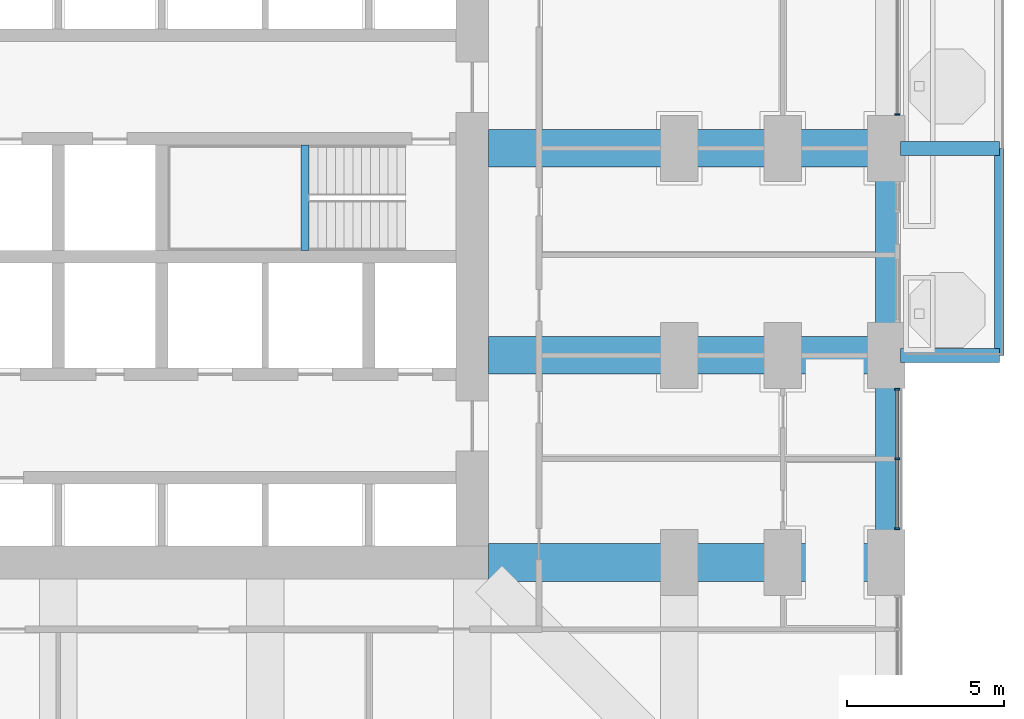
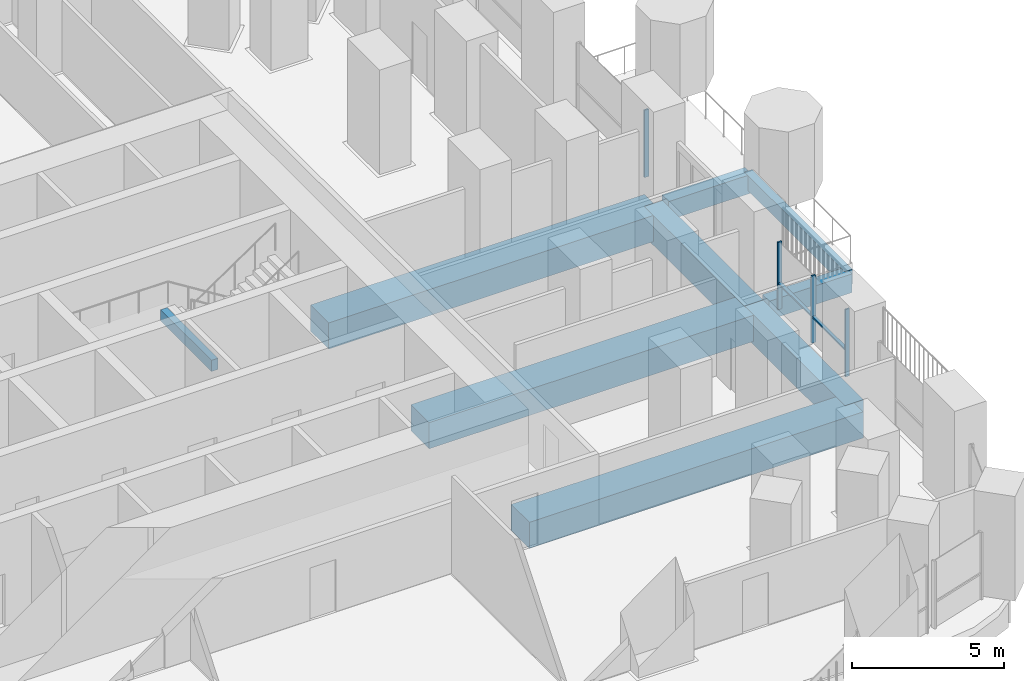
# One storey, part 5 of 26: 9 beams, 6 members, 2 elements without a shape of their own.
"""IFC4 building model written with IfcOpenShell, lengths in metres."""

from ifc_helpers import new_model, si_unit, direction, frame, origin, origin_2d, place, context, subcontext, project, spatial, rectangle, extrude, material, material_profile, profile_set, type_object, element, aggregate, save


model = new_model("IFC4")

# Units and contexts
model_context = context("Model", 3, precision=1e-05, world=origin(), true_north=direction((0.0, 1.0)))
body_context = subcontext(model_context, "Body", "Model", "MODEL_VIEW")
ifc_project = project(units=[si_unit("LENGTHUNIT", "METRE"), si_unit("AREAUNIT", "SQUARE_METRE"), si_unit("VOLUMEUNIT", "CUBIC_METRE"), si_unit("PLANEANGLEUNIT", "RADIAN"), si_unit("MASSUNIT", "GRAM", prefix="KILO")], contexts=[model_context])

# Site, building, storey
site_placement = place(None, origin())
site = spatial("IfcSite", under=ifc_project, at=site_placement, CompositionType="ELEMENT")
building_placement = place(site_placement, origin())
building = spatial("IfcBuilding", under=site, at=building_placement, Name="Cobogo Forest Laboratory Tower", CompositionType="ELEMENT")
storey_placement = place(building_placement, frame((0.0, 0.0, 33.89990234375)))
storey = spatial("IfcBuildingStorey", under=building, at=storey_placement, Name="L07", CompositionType="ELEMENT", Elevation=33.89990234375)

# Beams
ifc_material_1 = material(Name="Concrete HA-40 (C40/50)", Category="concrete")
ifc_material_profile_1 = material_profile(ifc_material_1, rectangle(XDim=0.449951171875, YDim=0.75, at=origin_2d()), Name="RC 450x750")
ifc_profile_set_1 = profile_set([ifc_material_profile_1], Name="Concrete HA-40 (C40/50)")
beam_type_1 = type_object("IfcBeamType", Name="Balcony cantilever beam 450x750", PredefinedType="BEAM", material=ifc_profile_set_1)
for number, where, z_axis, x_axis, name in (
    (1, (53.25, 19.800048828125, -0.625), (1.0, 0.0, 0.0), (0.0, 1.0, 0.0), "CB1 BAL-E1-C1 L07"),
    (2, (53.25, 26.39990234375, -0.625), (1.0, 0.0, 0.0), (0.0, 1.0, 0.0), "CB1 BAL-E1-C2 L07"),
):
    element("IfcBeam", number, at=place(storey_placement, frame(where, z_axis=z_axis, x_axis=x_axis)), inside=storey, type_object=beam_type_1, Name=name, PredefinedType="BEAM", context=body_context, shape_type="SweptSolid", body=[
        extrude(rectangle(XDim=0.449951171875, YDim=0.75, at=origin_2d()), origin(), (0.0, 0.0, 1.0), 3.14990234375),
    ])
ifc_material_profile_2 = material_profile(ifc_material_1, rectangle(XDim=0.300048828125, YDim=0.60009765625, at=origin_2d()), Name="RC 300x600")
ifc_profile_set_2 = profile_set([ifc_material_profile_2], Name="Concrete HA-40 (C40/50)")
beam_type_2 = type_object("IfcBeamType", Name="Balcony edge beam 300x600", PredefinedType="BEAM", material=ifc_profile_set_2)
beam_1_placement = place(storey_placement, frame((56.39990234375, 19.800048828125, -0.5498046875), z_axis=(0.0, 1.0, 0.0), x_axis=(-1.0, 0.0, 0.0)))
element("IfcBeam", 3, at=beam_1_placement, inside=storey, type_object=beam_type_2, Name="BB1 BAL-E1-T1 L07", PredefinedType="BEAM", context=body_context, shape_type="SweptSolid", body=[
    extrude(rectangle(XDim=0.300048828125, YDim=0.60009765625, at=origin_2d()), origin(), (0.0, 0.0, 1.0), 6.599853515625),
])
ifc_material_profile_3 = material_profile(ifc_material_1, rectangle(XDim=0.25, YDim=0.449951171875, at=origin_2d()), Name="RC 250x450")
ifc_profile_set_3 = profile_set([ifc_material_profile_3], Name="Concrete HA-40 (C40/50)")
beam_type_3 = type_object("IfcBeamType", Name="LB1 landing beam 250x450", PredefinedType="BEAM", material=ifc_profile_set_3)
beam_2_placement = place(storey_placement, frame((34.27001953125, 23.14990234375, 1.675048828125), z_axis=(0.0, 1.0, 0.0), x_axis=(-1.0, 0.0, 0.0)))
element("IfcBeam", 4, at=beam_2_placement, inside=storey, type_object=beam_type_3, Name="Landing beam ST2 L07", PredefinedType="BEAM", context=body_context, shape_type="SweptSolid", body=[
    extrude(rectangle(XDim=0.25, YDim=0.449951171875, at=origin_2d()), origin(), (0.0, 0.0, 1.0), 3.35009765625),
])
ifc_material_profile_4 = material_profile(ifc_material_1, rectangle(XDim=1.199951171875, YDim=1.050048828125, at=origin_2d()), Name="RC 1200x1050")
ifc_profile_set_4 = profile_set([ifc_material_profile_4], Name="Concrete HA-40 (C40/50)")
beam_type_4 = type_object("IfcBeamType", Name="Laboratory floor wide beam 1200x1050", PredefinedType="BEAM", material=ifc_profile_set_4)
for number, where, z_axis, x_axis, name in (
    (5, (40.125, 13.199951171875, -0.824951171875), (1.0, 0.0, 0.0), (0.0, 1.0, 0.0), "RB1 R-C-E L07"),
    (6, (40.125, 19.800048828125, -0.824951171875), (1.0, 0.0, 0.0), (0.0, 1.0, 0.0), "RB1 R-D-E L07"),
    (7, (40.125, 26.39990234375, -0.824951171875), (1.0, 0.0, 0.0), (0.0, 1.0, 0.0), "RB1 R-E-E L07"),
):
    element("IfcBeam", number, at=place(storey_placement, frame(where, z_axis=z_axis, x_axis=x_axis)), inside=storey, type_object=beam_type_4, Name=name, PredefinedType="BEAM", context=body_context, shape_type="SweptSolid", body=[
        extrude(rectangle(XDim=1.199951171875, YDim=1.050048828125, at=origin_2d()), origin(), (0.0, 0.0, 1.0), 12.675048828125),
    ])

# Curtain wall, members
ifc_material_2 = material(Name="Aluminium curtain wall", Category="aluminium")
curtain_wall_type = type_object("IfcCurtainWallType", Name="CW-1 unitised curtain wall, clear glazing, laboratory floors zones A and B", PredefinedType="USERDEFINED", material=ifc_material_2)
curtain_wall_1_placement = place(storey_placement, origin())
curtain_wall_1 = element("IfcCurtainWall", 8, at=curtain_wall_1_placement, inside=storey, type_object=curtain_wall_type, Name="Curtain wall 11 L07", ObjectType="UNITISED CURTAIN WALL", PredefinedType="USERDEFINED")
ifc_material_3 = material(Name="Aluminium mullion", Category="aluminium")
ifc_material_profile_5 = material_profile(ifc_material_3, rectangle(XDim=0.06005859375, YDim=0.159912109375, at=origin_2d()), Name="AL 60x160")
ifc_profile_set_5 = profile_set([ifc_material_profile_5], Name="Aluminium mullion")
member_type_1 = type_object("IfcMemberType", Name="MU-1 aluminium mullion 60x160", PredefinedType="MULLION", material=ifc_profile_set_5)
member_1_placement = place(storey_placement, frame((53.14990234375, 14.280029296875, 0.0), z_axis=(0.0, 0.0, 1.0), x_axis=(0.0, 1.0, 0.0)))
member_1 = element("IfcMember", 9, at=member_1_placement, type_object=member_type_1, Name="CW-1 mullion 1", PredefinedType="MULLION", context=body_context, shape_type="SweptSolid", body=[
    extrude(rectangle(XDim=0.06005859375, YDim=0.159912109375, at=origin_2d()), origin(), (0.0, 0.0, 1.0), 2.7001953125),
])
member_2_placement = place(storey_placement, frame((53.14990234375, 16.5, 0.0), z_axis=(0.0, 0.0, 1.0), x_axis=(0.0, 1.0, 0.0)))
member_2 = element("IfcMember", 10, at=member_2_placement, type_object=member_type_1, Name="CW-1 mullion 2", PredefinedType="MULLION", context=body_context, shape_type="SweptSolid", body=[
    extrude(rectangle(XDim=0.06005859375, YDim=0.159912109375, at=origin_2d()), origin(), (0.0, 0.0, 1.0), 2.7001953125),
])
member_3_placement = place(storey_placement, frame((53.14990234375, 18.719970703125, 0.0), z_axis=(0.0, 0.0, 1.0), x_axis=(0.0, 1.0, 0.0)))
member_3 = element("IfcMember", 11, at=member_3_placement, type_object=member_type_1, Name="CW-1 mullion 3", PredefinedType="MULLION", context=body_context, shape_type="SweptSolid", body=[
    extrude(rectangle(XDim=0.06005859375, YDim=0.159912109375, at=origin_2d()), origin(), (0.0, 0.0, 1.0), 2.7001953125),
])

# Curtain wall, member
curtain_wall_2_placement = place(storey_placement, origin())
curtain_wall_2 = element("IfcCurtainWall", 12, at=curtain_wall_2_placement, inside=storey, type_object=curtain_wall_type, Name="Curtain wall 13 L07", ObjectType="UNITISED CURTAIN WALL", PredefinedType="USERDEFINED")
member_4_placement = place(storey_placement, frame((53.14990234375, 27.47998046875, 0.0), z_axis=(0.0, 0.0, 1.0), x_axis=(0.0, 1.0, 0.0)))
member_4 = element("IfcMember", 13, at=member_4_placement, type_object=member_type_1, Name="CW-1 mullion 1", PredefinedType="MULLION", context=body_context, shape_type="SweptSolid", body=[
    extrude(rectangle(XDim=0.06005859375, YDim=0.159912109375, at=origin_2d()), origin(), (0.0, 0.0, 1.0), 2.7001953125),
])
aggregate(curtain_wall_2, [member_4])

# Beams
ifc_material_profile_6 = material_profile(ifc_material_1, rectangle(XDim=0.699951171875, YDim=1.199951171875, at=origin_2d()), Name="RC 700x1200")
ifc_profile_set_6 = profile_set([ifc_material_profile_6], Name="Concrete HA-40 (C40/50)")
beam_type_5 = type_object("IfcBeamType", Name="Perimeter edge beam 700x1200", PredefinedType="BEAM", material=ifc_profile_set_6)
beam_3_placement = place(storey_placement, frame((52.800048828125, 13.199951171875, -0.89990234375), z_axis=(0.0, 1.0, 0.0), x_axis=(-1.0, 0.0, 0.0)))
element("IfcBeam", 14, at=beam_3_placement, inside=storey, type_object=beam_type_5, Name="EB1 E-E2 L07", PredefinedType="BEAM", context=body_context, shape_type="SweptSolid", body=[
    extrude(rectangle(XDim=0.699951171875, YDim=1.199951171875, at=origin_2d()), origin(), (0.0, 0.0, 1.0), 6.60009765625),
])
beam_4_placement = place(storey_placement, frame((52.800048828125, 19.800048828125, -0.89990234375), z_axis=(0.0, 1.0, 0.0), x_axis=(-1.0, 0.0, 0.0)))
element("IfcBeam", 15, at=beam_4_placement, inside=storey, type_object=beam_type_5, Name="EB1 E-E3 L07", PredefinedType="BEAM", context=body_context, shape_type="SweptSolid", body=[
    extrude(rectangle(XDim=0.699951171875, YDim=1.199951171875, at=origin_2d()), origin(), (0.0, 0.0, 1.0), 6.599853515625),
])

# Member
ifc_material_4 = material(Name="Aluminium transom", Category="aluminium")
ifc_material_profile_7 = material_profile(ifc_material_4, rectangle(XDim=0.1201171875, YDim=0.06005859375, at=origin_2d()), Name="AL 60x120")
ifc_profile_set_7 = profile_set([ifc_material_profile_7], Name="Aluminium transom")
member_type_2 = type_object("IfcMemberType", Name="TR-1 aluminium transom 60x120", PredefinedType="USERDEFINED", material=ifc_profile_set_7)
member_5_placement = place(storey_placement, frame((53.14990234375, 14.31005859375, 1.050048828125), z_axis=(0.0, 1.0, 0.0), x_axis=(-1.0, 0.0, 0.0)))
member_5 = element("IfcMember", 16, at=member_5_placement, type_object=member_type_2, Name="CW-1 transom 1.1", ObjectType="TRANSOM", PredefinedType="USERDEFINED", context=body_context, shape_type="SweptSolid", body=[
    extrude(rectangle(XDim=0.1201171875, YDim=0.06005859375, at=origin_2d()), origin(), (0.0, 0.0, 1.0), 2.159912109375),
])

member_6_placement = place(storey_placement, frame((53.14990234375, 16.530029296875, 1.050048828125), z_axis=(0.0, 1.0, 0.0), x_axis=(-1.0, 0.0, 0.0)))
member_6 = element("IfcMember", 17, at=member_6_placement, type_object=member_type_2, Name="CW-1 transom 2.1", ObjectType="TRANSOM", PredefinedType="USERDEFINED", context=body_context, shape_type="SweptSolid", body=[
    extrude(rectangle(XDim=0.1201171875, YDim=0.06005859375, at=origin_2d()), origin(), (0.0, 0.0, 1.0), 2.159912109375),
])

aggregate(curtain_wall_1, [member_1, member_2, member_3, member_5, member_6])

save(model, "model.ifc")
